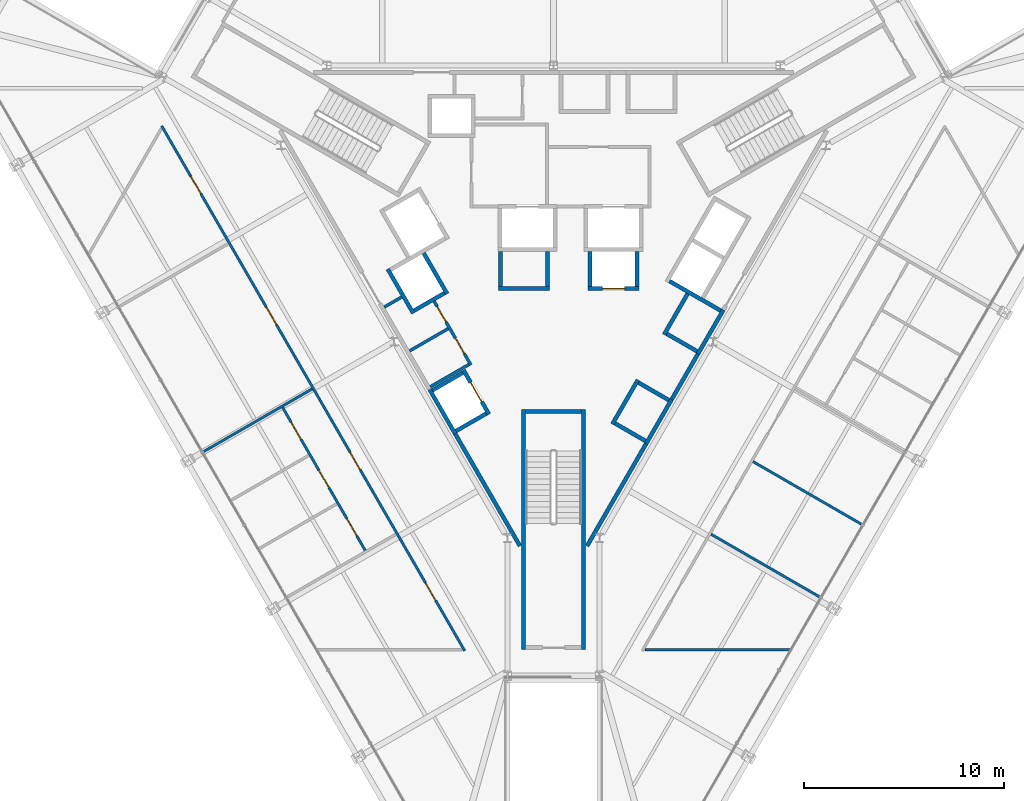
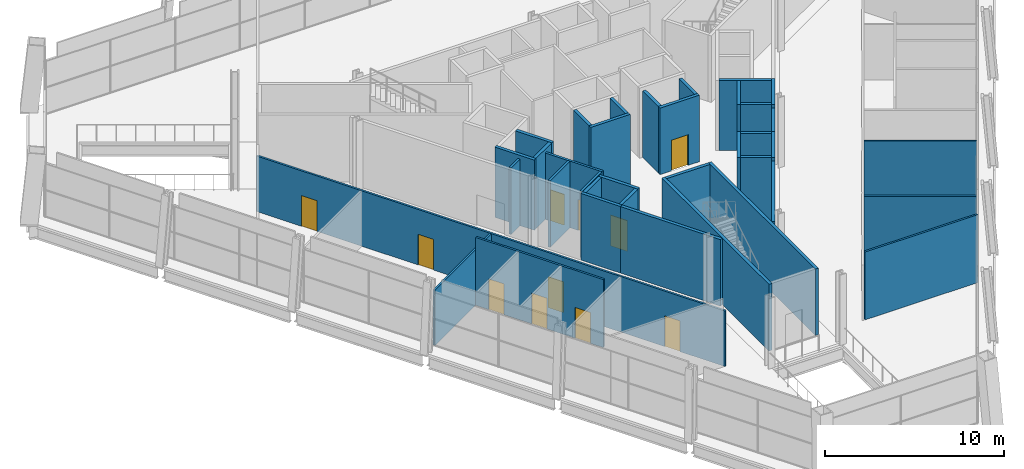
# One storey, part 13 of 18: 37 walls, 11 doors, 11 openings.
"""IFC4 building model written with IfcOpenShell, lengths in metres."""

from ifc_helpers import new_model, si_unit, direction, frame, frame_2d, origin, place, context, subcontext, project, spatial, rectangle, extrude, material, layer, layer_set, type_object, element, fill, save


model = new_model("IFC4")

# Units and contexts
model_context = context("Model", 3, precision=1e-05, world=origin(), true_north=direction((0.0, 1.0)))
body_context = subcontext(model_context, "Body", "Model", "MODEL_VIEW")
ifc_project = project(units=[si_unit("LENGTHUNIT", "METRE"), si_unit("AREAUNIT", "SQUARE_METRE"), si_unit("VOLUMEUNIT", "CUBIC_METRE"), si_unit("PLANEANGLEUNIT", "RADIAN"), si_unit("MASSUNIT", "GRAM", prefix="KILO")], contexts=[model_context])

# Site, building, storey
site_placement = place(None, origin())
site = spatial("IfcSite", under=ifc_project, at=site_placement, CompositionType="ELEMENT")
building_placement = place(site_placement, origin())
building = spatial("IfcBuilding", under=site, at=building_placement, Name="Verrane Prism Tower", CompositionType="ELEMENT")
storey_placement = place(building_placement, frame((0.0, 0.0, 32.0)))
storey = spatial("IfcBuildingStorey", under=building, at=storey_placement, Name="L05", CompositionType="ELEMENT", Elevation=32.0)

# Walls
ifc_material_1 = material(Name="Gypsum board partition", Category="other")
ifc_layer_1 = layer(ifc_material_1, 0.125)
ifc_layer_set_1 = layer_set([ifc_layer_1], Name="BW-125 demising wall 1 h")
wall_type_1 = type_object("IfcWallType", Name="BW-125 demising wall 1 h", PredefinedType="PARTITIONING", material=ifc_layer_set_1)
wall_1_placement = place(storey_placement, frame((7.875244140625, -14.226318359375, 0.0), z_axis=(0.0, 0.0, 1.0), x_axis=(0.866003371142, -0.500038159714, 0.0)))
element("IfcWall", 1, at=wall_1_placement, inside=storey, type_object=wall_type_1, Name="Demising wall 013", PredefinedType="PARTITIONING", context=body_context, shape_type="SweptSolid", body=[
    extrude(rectangle(XDim=6.3369140625, YDim=0.125, at=frame_2d((3.16845703125, 0.0))), origin(), (0.0, 0.0, 1.0), 3.79296875),
])
wall_2_placement = place(storey_placement, frame((9.974365234375, -10.5986328125, 0.0), z_axis=(0.0, 0.0, 1.0), x_axis=(0.866044997331, -0.499966061446, 0.0)))
element("IfcWall", 2, at=wall_2_placement, inside=storey, type_object=wall_type_1, Name="Demising wall 016", PredefinedType="PARTITIONING", context=body_context, shape_type="SweptSolid", body=[
    extrude(rectangle(XDim=6.3330078125, YDim=0.125, at=frame_2d((3.16650390625, 0.0))), origin(), (0.0, 0.0, 1.0), 4.639892578125),
])
ifc_material_2 = material(Name="Gypsum board partition", Category="other")
ifc_layer_2 = layer(ifc_material_2, 0.125)
ifc_layer_set_2 = layer_set([ifc_layer_2], Name="BW-125 plumbing wall")
wall_type_2 = type_object("IfcWallType", Name="BW-125 plumbing wall", PredefinedType="PARTITIONING", material=ifc_layer_set_2)
wall_3_placement = place(storey_placement, frame((-17.553955078125, -10.135009765625, 0.0), z_axis=(0.0, 0.0, 1.0), x_axis=(0.866003371142, 0.500038159714, 0.0)))
element("IfcWall", 3, at=wall_3_placement, inside=storey, type_object=wall_type_2, Name="Plumbing wall 004", PredefinedType="PARTITIONING", context=body_context, shape_type="SweptSolid", body=[
    extrude(rectangle(XDim=6.3369140625, YDim=0.125, at=frame_2d((3.16845703125, 0.0))), origin(), (0.0, 0.0, 1.0), 3.79296875),
])

# Wall, openings, doors
wall_4_placement = place(storey_placement, frame((-9.41015625, -15.040771484375, 0.0), z_axis=(0.0, 0.0, 1.0), x_axis=(-0.500068128175, 0.865986066391, 0.0)))
wall_4 = element("IfcWall", 4, at=wall_4_placement, inside=storey, type_object=wall_type_2, Name="Plumbing wall 008", PredefinedType="PARTITIONING", context=body_context, shape_type="SweptSolid", body=[
    extrude(rectangle(XDim=8.253173828125, YDim=0.125, at=frame_2d((4.12646484375, 0.0))), origin(), (0.0, 0.0, 1.0), 4.639892578125),
])
opening_1_placement = place(wall_4_placement, frame((6.4208984375, 0.0, 0.0)))
opening_1 = element("IfcOpeningElement", 5, at=opening_1_placement, cuts=wall_4, Name="Opening D05004", PredefinedType="OPENING", context=body_context, shape_type="SweptSolid", body=[
    extrude(rectangle(XDim=1.0, YDim=2.10009765625, at=frame_2d((0.5, 1.050048828125))), frame((0.0, 0.072509765625, 0.0), z_axis=(0.0, -1.0, 0.0), x_axis=(1.0, 0.0, 0.0)), (0.0, 0.0, 1.0), 0.14501953125),
])
opening_2_placement = place(wall_4_placement, frame((3.626953125, 0.0, 0.0)))
opening_2 = element("IfcOpeningElement", 6, at=opening_2_placement, cuts=wall_4, Name="Opening D05005", PredefinedType="OPENING", context=body_context, shape_type="SweptSolid", body=[
    extrude(rectangle(XDim=1.0, YDim=2.10009765625, at=frame_2d((0.5, 1.050048828125))), frame((0.0, 0.072509765625, 0.0), z_axis=(0.0, -1.0, 0.0), x_axis=(1.0, 0.0, 0.0)), (0.0, 0.0, 1.0), 0.14501953125),
])
opening_3_placement = place(wall_4_placement, frame((0.831787109375, 0.0, 0.0)))
opening_3 = element("IfcOpeningElement", 7, at=opening_3_placement, cuts=wall_4, Name="Opening D05006", PredefinedType="OPENING", context=body_context, shape_type="SweptSolid", body=[
    extrude(rectangle(XDim=1.0, YDim=2.10009765625, at=frame_2d((0.5, 1.050048828125))), frame((0.0, 0.072509765625, 0.0), z_axis=(0.0, -1.0, 0.0), x_axis=(1.0, 0.0, 0.0)), (0.0, 0.0, 1.0), 0.14501953125),
])
ifc_material_3 = material(Name="Timber veneered door leaf", Category="wood")
door_type_1 = type_object("IfcDoorType", Name="DR-1000x2100 single leaf room", OperationType="NOTDEFINED", PredefinedType="DOOR", material=ifc_material_3)
door_1_placement = place(opening_1_placement, origin())
door_1 = element("IfcDoor", 8, at=door_1_placement, inside=storey, type_object=door_type_1, Name="Door Men's WC 05SW", OperationType="SINGLE_SWING_LEFT", OverallHeight=2.10009765625, OverallWidth=1.0, PredefinedType="DOOR", context=body_context, shape_type="SweptSolid", body=[
    extrude(rectangle(XDim=1.0, YDim=2.10009765625, at=frame_2d((0.5, 1.050048828125))), frame((0.0, 0.02490234375, 0.0), z_axis=(0.0, -1.0, 0.0), x_axis=(1.0, 0.0, 0.0)), (0.0, 0.0, 1.0), 0.050048828125),
])
fill(opening_1, door_1)
door_2_placement = place(opening_2_placement, origin())
door_2 = element("IfcDoor", 9, at=door_2_placement, inside=storey, type_object=door_type_1, Name="Door Women's WC 05SW", OperationType="SINGLE_SWING_RIGHT", OverallHeight=2.10009765625, OverallWidth=1.0, PredefinedType="DOOR", context=body_context, shape_type="SweptSolid", body=[
    extrude(rectangle(XDim=1.0, YDim=2.10009765625, at=frame_2d((0.5, 1.050048828125))), frame((0.0, 0.02490234375, 0.0), z_axis=(0.0, -1.0, 0.0), x_axis=(1.0, 0.0, 0.0)), (0.0, 0.0, 1.0), 0.050048828125),
])
fill(opening_2, door_2)
door_3_placement = place(opening_3_placement, origin())
door_3 = element("IfcDoor", 10, at=door_3_placement, inside=storey, type_object=door_type_1, Name="Door Accessible WC 05SW", OperationType="SINGLE_SWING_LEFT", OverallHeight=2.10009765625, OverallWidth=1.0, PredefinedType="DOOR", context=body_context, shape_type="SweptSolid", body=[
    extrude(rectangle(XDim=1.0, YDim=2.10009765625, at=frame_2d((0.5, 1.050048828125))), frame((0.0, 0.02490234375, 0.0), z_axis=(0.0, -1.0, 0.0), x_axis=(1.0, 0.0, 0.0)), (0.0, 0.0, 1.0), 0.050048828125),
])
fill(opening_3, door_3)

ifc_material_4 = material(Name="Gypsum board partition", Category="other")
ifc_layer_3 = layer(ifc_material_4, 0.125)
ifc_layer_set_3 = layer_set([ifc_layer_3], Name="BW-125 shopfront wall 1 h")
wall_type_3 = type_object("IfcWallType", Name="BW-125 shopfront wall 1 h", PredefinedType="PARTITIONING", material=ifc_layer_set_3)
wall_5_placement = place(storey_placement, frame((-4.437744140625, -20.05419921875, 0.0), z_axis=(0.0, 0.0, 1.0), x_axis=(-0.499994028088, 0.866028851642, 0.0)))
wall_5 = element("IfcWall", 11, at=wall_5_placement, inside=storey, type_object=wall_type_3, Name="Shopfront wall 003", PredefinedType="PARTITIONING", context=body_context, shape_type="SweptSolid", body=[
    extrude(rectangle(XDim=30.297119140625, YDim=0.125, at=frame_2d((15.1484375, 0.0))), origin(), (0.0, 0.0, 1.0), 3.79296875),
])
opening_4_placement = place(wall_5_placement, frame((26.384765625, 0.0, 0.0)))
opening_4 = element("IfcOpeningElement", 12, at=opening_4_placement, cuts=wall_5, Name="Opening D05001", PredefinedType="OPENING", context=body_context, shape_type="SweptSolid", body=[
    extrude(rectangle(XDim=1.0, YDim=2.10009765625, at=frame_2d((0.5, 1.050048828125))), frame((0.0, 0.072509765625, 0.0), z_axis=(0.0, -1.0, 0.0), x_axis=(1.0, 0.0, 0.0)), (0.0, 0.0, 1.0), 0.14501953125),
])
opening_5_placement = place(wall_5_placement, frame((18.830810546875, 0.0, 0.0)))
opening_5 = element("IfcOpeningElement", 13, at=opening_5_placement, cuts=wall_5, Name="Opening D05002", PredefinedType="OPENING", context=body_context, shape_type="SweptSolid", body=[
    extrude(rectangle(XDim=1.0, YDim=2.10009765625, at=frame_2d((0.5, 1.050048828125))), frame((0.0, 0.072509765625, 0.0), z_axis=(0.0, -1.0, 0.0), x_axis=(1.0, 0.0, 0.0)), (0.0, 0.0, 1.0), 0.14501953125),
])
opening_6_placement = place(wall_5_placement, frame((10.44873046875, 0.0, 0.0)))
opening_6 = element("IfcOpeningElement", 14, at=opening_6_placement, cuts=wall_5, Name="Opening D05003", PredefinedType="OPENING", context=body_context, shape_type="SweptSolid", body=[
    extrude(rectangle(XDim=1.0, YDim=2.10009765625, at=frame_2d((0.5, 1.050048828125))), frame((0.0, 0.072509765625, 0.0), z_axis=(0.0, -1.0, 0.0), x_axis=(1.0, 0.0, 0.0)), (0.0, 0.0, 1.0), 0.14501953125),
])
opening_7_placement = place(wall_5_placement, frame((2.915771484375, 0.0, 0.0)))
opening_7 = element("IfcOpeningElement", 15, at=opening_7_placement, cuts=wall_5, Name="Opening D05007", PredefinedType="OPENING", context=body_context, shape_type="SweptSolid", body=[
    extrude(rectangle(XDim=1.0, YDim=2.10009765625, at=frame_2d((0.5, 1.050048828125))), frame((0.0, 0.072509765625, 0.0), z_axis=(0.0, -1.0, 0.0), x_axis=(1.0, 0.0, 0.0)), (0.0, 0.0, 1.0), 0.14501953125),
])
ifc_material_5 = material(Name="Timber veneered door leaf", Category="wood")
door_type_2 = type_object("IfcDoorType", Name="DR-1000x2100 FD20 single leaf shopfront", OperationType="NOTDEFINED", PredefinedType="DOOR", material=ifc_material_5)
door_4_placement = place(opening_4_placement, origin())
door_4 = element("IfcDoor", 16, at=door_4_placement, inside=storey, type_object=door_type_2, Name="Door Meeting Room 0501", OperationType="SINGLE_SWING_RIGHT", OverallHeight=2.10009765625, OverallWidth=1.0, PredefinedType="DOOR", context=body_context, shape_type="SweptSolid", body=[
    extrude(rectangle(XDim=1.0, YDim=2.10009765625, at=frame_2d((0.5, 1.050048828125))), frame((0.0, 0.02490234375, 0.0), z_axis=(0.0, -1.0, 0.0), x_axis=(1.0, 0.0, 0.0)), (0.0, 0.0, 1.0), 0.050048828125),
])
fill(opening_4, door_4)
door_5_placement = place(opening_5_placement, origin())
door_5 = element("IfcDoor", 17, at=door_5_placement, inside=storey, type_object=door_type_2, Name="Door Meeting Room 0502", OperationType="SINGLE_SWING_LEFT", OverallHeight=2.10009765625, OverallWidth=1.0, PredefinedType="DOOR", context=body_context, shape_type="SweptSolid", body=[
    extrude(rectangle(XDim=1.0, YDim=2.10009765625, at=frame_2d((0.5, 1.050048828125))), frame((0.0, 0.02490234375, 0.0), z_axis=(0.0, -1.0, 0.0), x_axis=(1.0, 0.0, 0.0)), (0.0, 0.0, 1.0), 0.050048828125),
])
fill(opening_5, door_5)
door_6_placement = place(opening_7_placement, origin())
door_6 = element("IfcDoor", 18, at=door_6_placement, inside=storey, type_object=door_type_2, Name="Door Meeting Room 0503", OperationType="SINGLE_SWING_RIGHT", OverallHeight=2.10009765625, OverallWidth=1.0, PredefinedType="DOOR", context=body_context, shape_type="SweptSolid", body=[
    extrude(rectangle(XDim=1.0, YDim=2.10009765625, at=frame_2d((0.5, 1.050048828125))), frame((0.0, 0.02490234375, 0.0), z_axis=(0.0, -1.0, 0.0), x_axis=(1.0, 0.0, 0.0)), (0.0, 0.0, 1.0), 0.050048828125),
])
fill(opening_7, door_6)
ifc_material_6 = material(Name="Timber veneered door leaf", Category="wood")
door_type_3 = type_object("IfcDoorType", Name="DR-1000x2100 FD20 single leaf wc lobby", OperationType="NOTDEFINED", PredefinedType="DOOR", material=ifc_material_6)
door_7_placement = place(opening_6_placement, origin())
door_7 = element("IfcDoor", 19, at=door_7_placement, inside=storey, type_object=door_type_3, Name="Door WC Lobby 05SW", OperationType="SINGLE_SWING_RIGHT", OverallHeight=2.10009765625, OverallWidth=1.0, PredefinedType="DOOR", context=body_context, shape_type="SweptSolid", body=[
    extrude(rectangle(XDim=1.0, YDim=2.10009765625, at=frame_2d((0.5, 1.050048828125))), frame((0.0, 0.02490234375, 0.0), z_axis=(0.0, -1.0, 0.0), x_axis=(1.0, 0.0, 0.0)), (0.0, 0.0, 1.0), 0.050048828125),
])
fill(opening_6, door_7)

# Walls
wall_6_placement = place(storey_placement, frame((4.573974609375, -20.0, 0.0), z_axis=(0.0, 0.0, 1.0), x_axis=(1.0, 0.0, 0.0)))
element("IfcWall", 20, at=wall_6_placement, inside=storey, type_object=wall_type_3, Name="Shopfront wall 011", PredefinedType="PARTITIONING", context=body_context, shape_type="SweptSolid", body=[
    extrude(rectangle(XDim=7.284912109375, YDim=0.125, at=frame_2d((3.642578125, 0.0))), origin(), (0.0, 0.0, 1.0), 4.639892578125),
])
ifc_material_7 = material(Name="Gypsum board partition", Category="other")
ifc_layer_4 = layer(ifc_material_7, 0.199951171875)
ifc_layer_set_4 = layer_set([ifc_layer_4], Name="CW-200 core boundary wall 2 h")
wall_type_4 = type_object("IfcWallType", Name="CW-200 core boundary wall 2 h", PredefinedType="PARTITIONING", material=ifc_layer_set_4)
wall_7_placement = place(storey_placement, frame((-4.9140625, -9.2080078125, 0.0), z_axis=(0.0, 0.0, 1.0), x_axis=(0.499947703927, -0.866055594831, 0.0)))
element("IfcWall", 21, at=wall_7_placement, inside=storey, type_object=wall_type_4, Name="Core boundary wall CW3-003", PredefinedType="PARTITIONING", context=body_context, shape_type="SweptSolid", body=[
    extrude(rectangle(XDim=6.473876953125, YDim=0.199951171875, at=frame_2d((3.23681640625, 0.0))), origin(), (0.0, 0.0, 1.0), 4.550048828125),
])
wall_8_placement = place(storey_placement, frame((1.677490234375, -14.814697265625, 0.0), z_axis=(0.0, 0.0, 1.0), x_axis=(0.49999445743, 0.866028603765, 0.0)))
element("IfcWall", 22, at=wall_8_placement, inside=storey, type_object=wall_type_4, Name="Core boundary wall CW3-004", PredefinedType="PARTITIONING", context=body_context, shape_type="SweptSolid", body=[
    extrude(rectangle(XDim=5.90478515625, YDim=0.199951171875, at=frame_2d((2.952392578125, 0.0))), origin(), (0.0, 0.0, 1.0), 4.550048828125),
])
wall_9_placement = place(storey_placement, frame((5.906005859375, -7.489990234375, 0.0), z_axis=(0.0, 0.0, 1.0), x_axis=(0.500252727967, 0.865879442048, 0.0)))
element("IfcWall", 23, at=wall_9_placement, inside=storey, type_object=wall_type_4, Name="Core boundary wall CW3-006", PredefinedType="PARTITIONING", context=body_context, shape_type="SweptSolid", body=[
    extrude(rectangle(XDim=2.616943359375, YDim=0.199951171875, at=frame_2d((1.30859375, 0.0))), origin(), (0.0, 0.0, 1.0), 4.550048828125),
])
ifc_material_8 = material(Name="Concrete C40/50", Category="concrete")
ifc_layer_5 = layer(ifc_material_8, 0.199951171875)
ifc_layer_set_5 = layer_set([ifc_layer_5], Name="CW-200 stair core wall concrete C40/50 3 h")
wall_type_5 = type_object("IfcWallType", Name="CW-200 stair core wall concrete C40/50 3 h", PredefinedType="PARTITIONING", material=ifc_layer_set_5)
for number, where, z_axis, x_axis, name in (
    (24, (1.5, -8.0, 0.0), (0.0, 0.0, 1.0), (0.0, -1.0, 0.0), "Stair 3 enclosure wall"),
    (25, (-1.5, -8.0, 0.0), (0.0, 0.0, 1.0), (0.0, -1.0, 0.0), "Stair 3 enclosure wall"),
):
    element("IfcWall", number, at=place(storey_placement, frame(where, z_axis=z_axis, x_axis=x_axis)), inside=storey, type_object=wall_type_5, Name=name, PredefinedType="PARTITIONING", context=body_context, shape_type="SweptSolid", body=[
        extrude(rectangle(XDim=12.0, YDim=0.199951171875, at=frame_2d((6.0, 0.0))), origin(), (0.0, 0.0, 1.0), 4.550048828125),
    ])
wall_10_placement = place(storey_placement, frame((-1.39990234375, -8.10009765625, 0.0), z_axis=(0.0, 0.0, 1.0), x_axis=(1.0, 0.0, 0.0)))
element("IfcWall", 26, at=wall_10_placement, inside=storey, type_object=wall_type_5, Name="Stair 3 enclosure wall", PredefinedType="PARTITIONING", context=body_context, shape_type="SweptSolid", body=[
    extrude(rectangle(XDim=2.7998046875, YDim=0.199951171875, at=frame_2d((1.39990234375, 0.0))), origin(), (0.0, 0.0, 1.0), 4.550048828125),
])
ifc_material_9 = material(Name="Gypsum board shaft wall assembly", Category="other")
ifc_layer_6 = layer(ifc_material_9, 0.199951171875)
ifc_layer_set_6 = layer_set([ifc_layer_6], Name="HW-200 lift shaft wall 2 h")
wall_type_6 = type_object("IfcWallType", Name="HW-200 lift shaft wall 2 h", PredefinedType="PARTITIONING", material=ifc_layer_set_6)
wall_11_placement = place(storey_placement, frame((-2.7548828125, -1.949951171875, 0.0), z_axis=(0.0, 0.0, 1.0), x_axis=(1.0, 0.0, 0.0)))
element("IfcWall", 27, at=wall_11_placement, inside=storey, type_object=wall_type_6, Name="Lift shaft wall", PredefinedType="PARTITIONING", context=body_context, shape_type="SweptSolid", body=[
    extrude(rectangle(XDim=2.5498046875, YDim=0.199951171875, at=frame_2d((1.27490234375, 0.0))), origin(), (0.0, 0.0, 1.0), 4.800048828125),
])

# Wall, opening, door
wall_12_placement = place(storey_placement, frame((1.72509765625, -1.949951171875, 0.0), z_axis=(0.0, 0.0, 1.0), x_axis=(1.0, 0.0, 0.0)))
wall_12 = element("IfcWall", 28, at=wall_12_placement, inside=storey, type_object=wall_type_6, Name="Lift shaft wall", PredefinedType="PARTITIONING", context=body_context, shape_type="SweptSolid", body=[
    extrude(rectangle(XDim=2.5498046875, YDim=0.199951171875, at=frame_2d((1.27490234375, 0.0))), origin(), (0.0, 0.0, 1.0), 4.550048828125),
])
opening_8_placement = place(wall_12_placement, frame((0.72509765625, 0.0, 0.0)))
opening_8 = element("IfcOpeningElement", 29, at=opening_8_placement, cuts=wall_12, Name="Opening D05507", PredefinedType="OPENING", context=body_context, shape_type="SweptSolid", body=[
    extrude(rectangle(XDim=1.10009765625, YDim=2.10009765625, at=frame_2d((0.550048828125, 1.050048828125))), frame((0.0, 0.10986328125, 0.0), z_axis=(0.0, -1.0, 0.0), x_axis=(1.0, 0.0, 0.0)), (0.0, 0.0, 1.0), 0.219970703125),
])
ifc_material_10 = material(Name="Stainless steel sliding landing door", Category="steel")
door_type_4 = type_object("IfcDoorType", Name="LD-1100x2100 lift landing door FD90 sliding", OperationType="NOTDEFINED", PredefinedType="DOOR", material=ifc_material_10)
door_8_placement = place(opening_8_placement, origin())
door_8 = element("IfcDoor", 30, at=door_8_placement, inside=storey, type_object=door_type_4, Name="Retail lift 2 landing door", OperationType="SLIDING_TO_RIGHT", OverallHeight=2.10009765625, OverallWidth=1.10009765625, PredefinedType="DOOR", context=body_context, shape_type="SweptSolid", body=[
    extrude(rectangle(XDim=1.10009765625, YDim=2.10009765625, at=frame_2d((0.550048828125, 1.050048828125))), frame((0.0, 0.02490234375, 0.0), z_axis=(0.0, -1.0, 0.0), x_axis=(1.0, 0.0, 0.0)), (0.0, 0.0, 1.0), 0.050048828125),
])
fill(opening_8, door_8)

# Walls
for number, where, z_axis, x_axis, name in (
    (31, (-4.87890625, -9.069580078125, 0.0), (0.0, 0.0, 1.0), (0.866036909293, 0.499980071345, 0.0), "Lift shaft wall"),
    (32, (-6.053955078125, -7.034423828125, 0.0), (0.0, 0.0, 1.0), (0.866036909293, 0.499980071345, 0.0), "Lift shaft wall"),
):
    element("IfcWall", number, at=place(storey_placement, frame(where, z_axis=z_axis, x_axis=x_axis)), inside=storey, type_object=wall_type_6, Name=name, PredefinedType="PARTITIONING", context=body_context, shape_type="SweptSolid", body=[
        extrude(rectangle(XDim=1.75, YDim=0.199951171875, at=frame_2d((0.875, 0.0))), origin(), (0.0, 0.0, 1.0), 4.550048828125),
    ])
wall_13_placement = place(storey_placement, frame((-6.9697265625, -3.048095703125, 0.0), z_axis=(0.0, 0.0, 1.0), x_axis=(0.866036909293, 0.499980071345, 0.0)))
element("IfcWall", 33, at=wall_13_placement, inside=storey, type_object=wall_type_6, Name="Lift shaft wall", PredefinedType="PARTITIONING", context=body_context, shape_type="SweptSolid", body=[
    extrude(rectangle(XDim=1.75, YDim=0.199951171875, at=frame_2d((0.875, 0.0))), origin(), (0.0, 0.0, 1.0), 4.800048828125),
])
wall_14_placement = place(storey_placement, frame((4.63037109375, -9.69970703125, 0.0), z_axis=(0.0, 0.0, 1.0), x_axis=(0.500062241894, 0.865989465428, 0.0)))
element("IfcWall", 34, at=wall_14_placement, inside=storey, type_object=wall_type_6, Name="Lift shaft wall", PredefinedType="PARTITIONING", context=body_context, shape_type="SweptSolid", body=[
    extrude(rectangle(XDim=2.550048828125, YDim=0.199951171875, at=frame_2d((1.27490234375, 0.0))), origin(), (0.0, 0.0, 1.0), 4.800048828125),
])
wall_15_placement = place(storey_placement, frame((7.215576171875, -5.222412109375, 0.0), z_axis=(0.0, 0.0, 1.0), x_axis=(0.499990435942, 0.866030925526, 0.0)))
element("IfcWall", 35, at=wall_15_placement, inside=storey, type_object=wall_type_6, Name="Lift shaft wall", PredefinedType="PARTITIONING", context=body_context, shape_type="SweptSolid", body=[
    extrude(rectangle(XDim=2.5498046875, YDim=0.199951171875, at=frame_2d((1.27490234375, 0.0))), origin(), (0.0, 0.0, 1.0), 4.800048828125),
])
wall_16_placement = place(storey_placement, frame((2.941650390625, -8.724853515625, 0.0), z_axis=(0.0, 0.0, 1.0), x_axis=(0.500020783669, 0.866013403995, 0.0)))
element("IfcWall", 36, at=wall_16_placement, inside=storey, type_object=wall_type_6, Name="Lift shaft wall", PredefinedType="PARTITIONING", context=body_context, shape_type="SweptSolid", body=[
    extrude(rectangle(XDim=2.55029296875, YDim=0.199951171875, at=frame_2d((1.275146484375, 0.0))), origin(), (0.0, 0.0, 1.0), 4.800048828125),
])
wall_17_placement = place(storey_placement, frame((5.52685546875, -4.247314453125, 0.0), z_axis=(0.0, 0.0, 1.0), x_axis=(0.499938297808, 0.866061024631, 0.0)))
element("IfcWall", 37, at=wall_17_placement, inside=storey, type_object=wall_type_6, Name="Lift shaft wall", PredefinedType="PARTITIONING", context=body_context, shape_type="SweptSolid", body=[
    extrude(rectangle(XDim=2.349853515625, YDim=0.199951171875, at=frame_2d((1.1748046875, 0.0))), origin(), (0.0, 0.0, 1.0), 4.800048828125),
])
for number, where, z_axis, x_axis, name in (
    (38, (4.175048828125, -1.85009765625, 0.0), (0.0, 0.0, 1.0), (0.0, 1.0, 0.0), "Lift shaft wall"),
    (39, (1.824951171875, -1.85009765625, 0.0), (0.0, 0.0, 1.0), (0.0, 1.0, 0.0), "Lift shaft wall"),
):
    element("IfcWall", number, at=place(storey_placement, frame(where, z_axis=z_axis, x_axis=x_axis)), inside=storey, type_object=wall_type_6, Name=name, PredefinedType="PARTITIONING", context=body_context, shape_type="SweptSolid", body=[
        extrude(rectangle(XDim=1.75, YDim=0.199951171875, at=frame_2d((0.875, 0.0))), origin(), (0.0, 0.0, 1.0), 4.550048828125),
    ])
for number, where, z_axis, x_axis, name in (
    (40, (-0.304931640625, -1.85009765625, 0.0), (0.0, 0.0, 1.0), (0.0, 1.0, 0.0), "Lift shaft wall"),
    (41, (-2.655029296875, -1.85009765625, 0.0), (0.0, 0.0, 1.0), (0.0, 1.0, 0.0), "Lift shaft wall"),
):
    element("IfcWall", number, at=place(storey_placement, frame(where, z_axis=z_axis, x_axis=x_axis)), inside=storey, type_object=wall_type_6, Name=name, PredefinedType="PARTITIONING", context=body_context, shape_type="SweptSolid", body=[
        extrude(rectangle(XDim=1.75, YDim=0.199951171875, at=frame_2d((0.875, 0.0))), origin(), (0.0, 0.0, 1.0), 4.800048828125),
    ])
wall_18_placement = place(storey_placement, frame((-5.317626953125, -2.209716796875, 0.0), z_axis=(0.0, 0.0, 1.0), x_axis=(-0.499938297808, 0.866061024631, 0.0)))
element("IfcWall", 42, at=wall_18_placement, inside=storey, type_object=wall_type_6, Name="Lift shaft wall", PredefinedType="PARTITIONING", context=body_context, shape_type="SweptSolid", body=[
    extrude(rectangle(XDim=2.349853515625, YDim=0.199951171875, at=frame_2d((1.1748046875, 0.0))), origin(), (0.0, 0.0, 1.0), 4.800048828125),
])

# Wall, opening, door
wall_19_placement = place(storey_placement, frame((-3.226806640625, -8.231201171875, 0.0), z_axis=(0.0, 0.0, 1.0), x_axis=(-0.499948979701, 0.866054858364, 0.0)))
wall_19 = element("IfcWall", 43, at=wall_19_placement, inside=storey, type_object=wall_type_6, Name="Lift shaft wall", PredefinedType="PARTITIONING", context=body_context, shape_type="SweptSolid", body=[
    extrude(rectangle(XDim=2.550048828125, YDim=0.199951171875, at=frame_2d((1.27490234375, 0.0))), origin(), (0.0, 0.0, 1.0), 4.550048828125),
])
opening_9_placement = place(wall_19_placement, frame((0.72509765625, 0.0, 0.0)))
opening_9 = element("IfcOpeningElement", 44, at=opening_9_placement, cuts=wall_19, Name="Opening D05506", PredefinedType="OPENING", context=body_context, shape_type="SweptSolid", body=[
    extrude(rectangle(XDim=1.10009765625, YDim=2.10009765625, at=frame_2d((0.550048828125, 1.050048828125))), frame((0.0, 0.10986328125, 0.0), z_axis=(0.0, -1.0, 0.0), x_axis=(1.0, 0.0, 0.0)), (0.0, 0.0, 1.0), 0.219970703125),
])
door_9_placement = place(opening_9_placement, origin())
door_9 = element("IfcDoor", 45, at=door_9_placement, inside=storey, type_object=door_type_4, Name="Retail lift 1 landing door", OperationType="SLIDING_TO_LEFT", OverallHeight=2.10009765625, OverallWidth=1.10009765625, PredefinedType="DOOR", context=body_context, shape_type="SweptSolid", body=[
    extrude(rectangle(XDim=1.10009765625, YDim=2.10009765625, at=frame_2d((0.550048828125, 1.050048828125))), frame((0.0, 0.02490234375, 0.0), z_axis=(0.0, -1.0, 0.0), x_axis=(1.0, 0.0, 0.0)), (0.0, 0.0, 1.0), 0.050048828125),
])
fill(opening_9, door_9)

# Walls
wall_20_placement = place(storey_placement, frame((-7.00634765625, -3.184814453125, 0.0), z_axis=(0.0, 0.0, 1.0), x_axis=(-0.499990435942, 0.866030925526, 0.0)))
element("IfcWall", 46, at=wall_20_placement, inside=storey, type_object=wall_type_6, Name="Lift shaft wall", PredefinedType="PARTITIONING", context=body_context, shape_type="SweptSolid", body=[
    extrude(rectangle(XDim=2.5498046875, YDim=0.199951171875, at=frame_2d((1.27490234375, 0.0))), origin(), (0.0, 0.0, 1.0), 4.800048828125),
])
wall_21_placement = place(storey_placement, frame((-4.91552734375, -9.2060546875, 0.0), z_axis=(0.0, 0.0, 1.0), x_axis=(-0.499990435942, 0.866030925526, 0.0)))
element("IfcWall", 47, at=wall_21_placement, inside=storey, type_object=wall_type_6, Name="Lift shaft wall", PredefinedType="PARTITIONING", context=body_context, shape_type="SweptSolid", body=[
    extrude(rectangle(XDim=2.5498046875, YDim=0.199951171875, at=frame_2d((1.27490234375, 0.0))), origin(), (0.0, 0.0, 1.0), 4.550048828125),
])
wall_22_placement = place(storey_placement, frame((8.35400390625, -3.050537109375, 0.0), z_axis=(0.0, 0.0, 1.0), x_axis=(-0.866060182126, 0.499939757307, 0.0)))
element("IfcWall", 48, at=wall_22_placement, inside=storey, type_object=wall_type_6, Name="Lift shaft wall", PredefinedType="PARTITIONING", context=body_context, shape_type="SweptSolid", body=[
    extrude(rectangle(XDim=2.949951171875, YDim=0.199951171875, at=frame_2d((1.47509765625, 0.0))), origin(), (0.0, 0.0, 1.0), 4.800048828125),
])
wall_23_placement = place(storey_placement, frame((7.178955078125, -5.085693359375, 0.0), z_axis=(0.0, 0.0, 1.0), x_axis=(-0.866036909293, 0.499980071345, 0.0)))
element("IfcWall", 49, at=wall_23_placement, inside=storey, type_object=wall_type_6, Name="Lift shaft wall", PredefinedType="PARTITIONING", context=body_context, shape_type="SweptSolid", body=[
    extrude(rectangle(XDim=1.75, YDim=0.199951171875, at=frame_2d((0.875, 0.0))), origin(), (0.0, 0.0, 1.0), 4.800048828125),
])
wall_24_placement = place(storey_placement, frame((5.768798828125, -7.528076171875, 0.0), z_axis=(0.0, 0.0, 1.0), x_axis=(-0.866002029911, 0.500040482552, 0.0)))
element("IfcWall", 50, at=wall_24_placement, inside=storey, type_object=wall_type_6, Name="Lift shaft wall", PredefinedType="PARTITIONING", context=body_context, shape_type="SweptSolid", body=[
    extrude(rectangle(XDim=1.749755859375, YDim=0.199951171875, at=frame_2d((0.875, 0.0))), origin(), (0.0, 0.0, 1.0), 4.800048828125),
])
wall_25_placement = place(storey_placement, frame((4.593994140625, -9.563232421875, 0.0), z_axis=(0.0, 0.0, 1.0), x_axis=(-0.866036909293, 0.499980071345, 0.0)))
element("IfcWall", 51, at=wall_25_placement, inside=storey, type_object=wall_type_6, Name="Lift shaft wall", PredefinedType="PARTITIONING", context=body_context, shape_type="SweptSolid", body=[
    extrude(rectangle(XDim=1.75, YDim=0.199951171875, at=frame_2d((0.875, 0.0))), origin(), (0.0, 0.0, 1.0), 4.800048828125),
])
ifc_material_11 = material(Name="Gypsum board partition", Category="other")
ifc_layer_7 = layer(ifc_material_11, 0.14990234375)
ifc_layer_set_7 = layer_set([ifc_layer_7], Name="RS-150 riser enclosure wall 1 h")
wall_type_7 = type_object("IfcWallType", Name="RS-150 riser enclosure wall 1 h", PredefinedType="PARTITIONING", material=ifc_layer_set_7)
wall_26_placement = place(storey_placement, frame((-8.456298828125, -2.873046875, 0.0), z_axis=(0.0, 0.0, 1.0), x_axis=(0.866006330792, 0.500033033937, 0.0)))
element("IfcWall", 52, at=wall_26_placement, inside=storey, type_object=wall_type_7, Name="Riser wall RS3-001", PredefinedType="PARTITIONING", context=body_context, shape_type="SweptSolid", body=[
    extrude(rectangle(XDim=0.998046875, YDim=0.14990234375, at=frame_2d((0.4990234375, 0.0))), origin(), (0.0, 0.0, 1.0), 4.550048828125),
])
for number, where, z_axis, x_axis, name in (
    (53, (-7.19140625, -5.06396484375, 0.0), (0.0, 0.0, 1.0), (0.865971748, 0.500092923031, 0.0), "Riser wall RS3-002"),
    (54, (-6.156494140625, -6.85693359375, 0.0), (0.0, 0.0, 1.0), (0.865971748, 0.500092923031, 0.0), "Riser wall RS3-003"),
):
    element("IfcWall", number, at=place(storey_placement, frame(where, z_axis=z_axis, x_axis=x_axis)), inside=storey, type_object=wall_type_7, Name=name, PredefinedType="PARTITIONING", context=body_context, shape_type="SweptSolid", body=[
        extrude(rectangle(XDim=2.224609375, YDim=0.14990234375, at=frame_2d((1.1123046875, 0.0))), origin(), (0.0, 0.0, 1.0), 4.550048828125),
    ])

# Wall, openings, doors
wall_27_placement = place(storey_placement, frame((-4.12744140625, -5.77197265625, 0.0), z_axis=(0.0, 0.0, 1.0), x_axis=(-0.499944653301, 0.866057355858, 0.0)))
wall_27 = element("IfcWall", 55, at=wall_27_placement, inside=storey, type_object=wall_type_7, Name="Riser wall RS3-004", PredefinedType="PARTITIONING", context=body_context, shape_type="SweptSolid", body=[
    extrude(rectangle(XDim=3.677734375, YDim=0.14990234375, at=frame_2d((1.8388671875, 0.0))), origin(), (0.0, 0.0, 1.0), 4.550048828125),
])
opening_10_placement = place(wall_27_placement, frame((2.4775390625, 0.0, 0.0)))
opening_10 = element("IfcOpeningElement", 56, at=opening_10_placement, cuts=wall_27, Name="Opening D05510", PredefinedType="OPENING", context=body_context, shape_type="SweptSolid", body=[
    extrude(rectangle(XDim=0.89990234375, YDim=2.10009765625, at=frame_2d((0.449951171875, 1.050048828125))), frame((0.0, 0.0849609375, 0.0), z_axis=(0.0, -1.0, 0.0), x_axis=(1.0, 0.0, 0.0)), (0.0, 0.0, 1.0), 0.169921875),
])
opening_11_placement = place(wall_27_placement, frame((0.6455078125, 0.0, 0.0)))
opening_11 = element("IfcOpeningElement", 57, at=opening_11_placement, cuts=wall_27, Name="Opening D05511", PredefinedType="OPENING", context=body_context, shape_type="SweptSolid", body=[
    extrude(rectangle(XDim=0.89990234375, YDim=2.10009765625, at=frame_2d((0.449951171875, 1.050048828125))), frame((0.0, 0.0849609375, 0.0), z_axis=(0.0, -1.0, 0.0), x_axis=(1.0, 0.0, 0.0)), (0.0, 0.0, 1.0), 0.169921875),
])
ifc_material_12 = material(Name="Timber veneered door leaf", Category="wood")
door_type_5 = type_object("IfcDoorType", Name="DR-900x2100 FD60 single leaf riser", OperationType="NOTDEFINED", PredefinedType="DOOR", material=ifc_material_12)
door_10_placement = place(opening_10_placement, origin())
door_10 = element("IfcDoor", 58, at=door_10_placement, inside=storey, type_object=door_type_5, Name="Riser door D05510", OperationType="SINGLE_SWING_LEFT", OverallHeight=2.10009765625, OverallWidth=0.89990234375, PredefinedType="DOOR", context=body_context, shape_type="SweptSolid", body=[
    extrude(rectangle(XDim=0.89990234375, YDim=2.10009765625, at=frame_2d((0.449951171875, 1.050048828125))), frame((0.0, 0.02490234375, 0.0), z_axis=(0.0, -1.0, 0.0), x_axis=(1.0, 0.0, 0.0)), (0.0, 0.0, 1.0), 0.050048828125),
])
fill(opening_10, door_10)
door_11_placement = place(opening_11_placement, origin())
door_11 = element("IfcDoor", 59, at=door_11_placement, inside=storey, type_object=door_type_5, Name="Riser door D05511", OperationType="SINGLE_SWING_RIGHT", OverallHeight=2.10009765625, OverallWidth=0.89990234375, PredefinedType="DOOR", context=body_context, shape_type="SweptSolid", body=[
    extrude(rectangle(XDim=0.89990234375, YDim=2.10009765625, at=frame_2d((0.449951171875, 1.050048828125))), frame((0.0, 0.02490234375, 0.0), z_axis=(0.0, -1.0, 0.0), x_axis=(1.0, 0.0, 0.0)), (0.0, 0.0, 1.0), 0.050048828125),
])
fill(opening_11, door_11)

save(model, "model.ifc")
